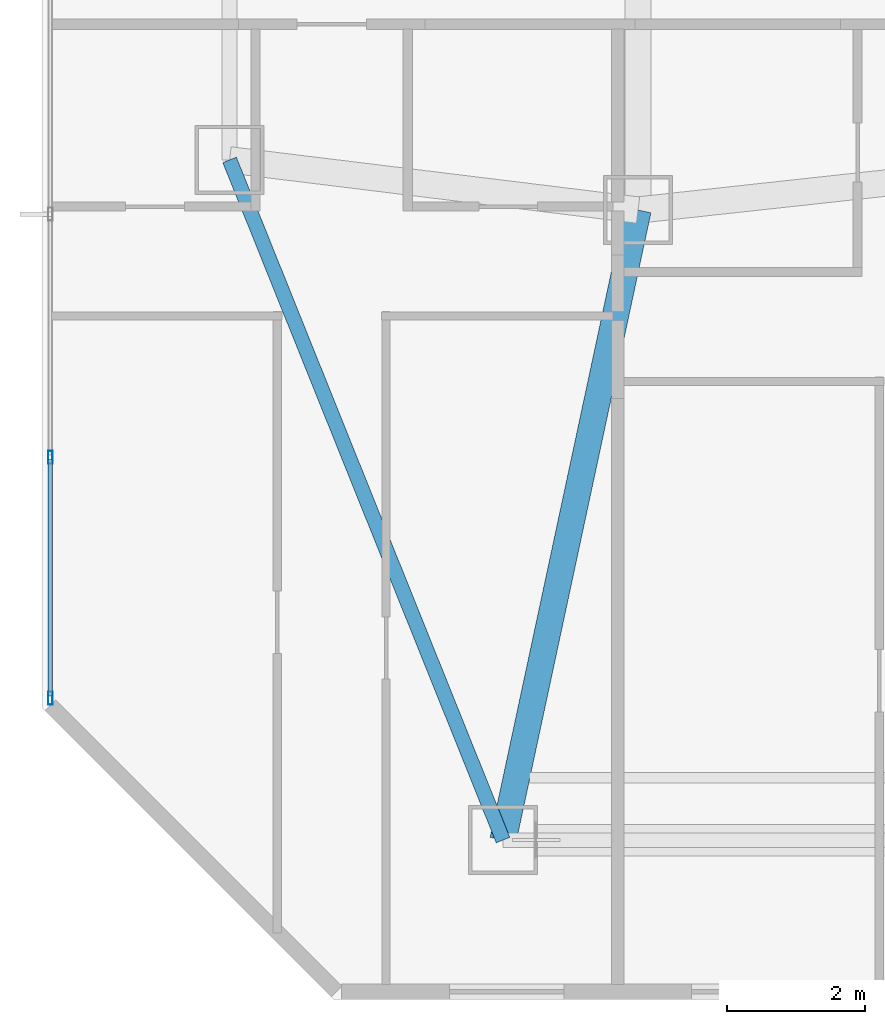
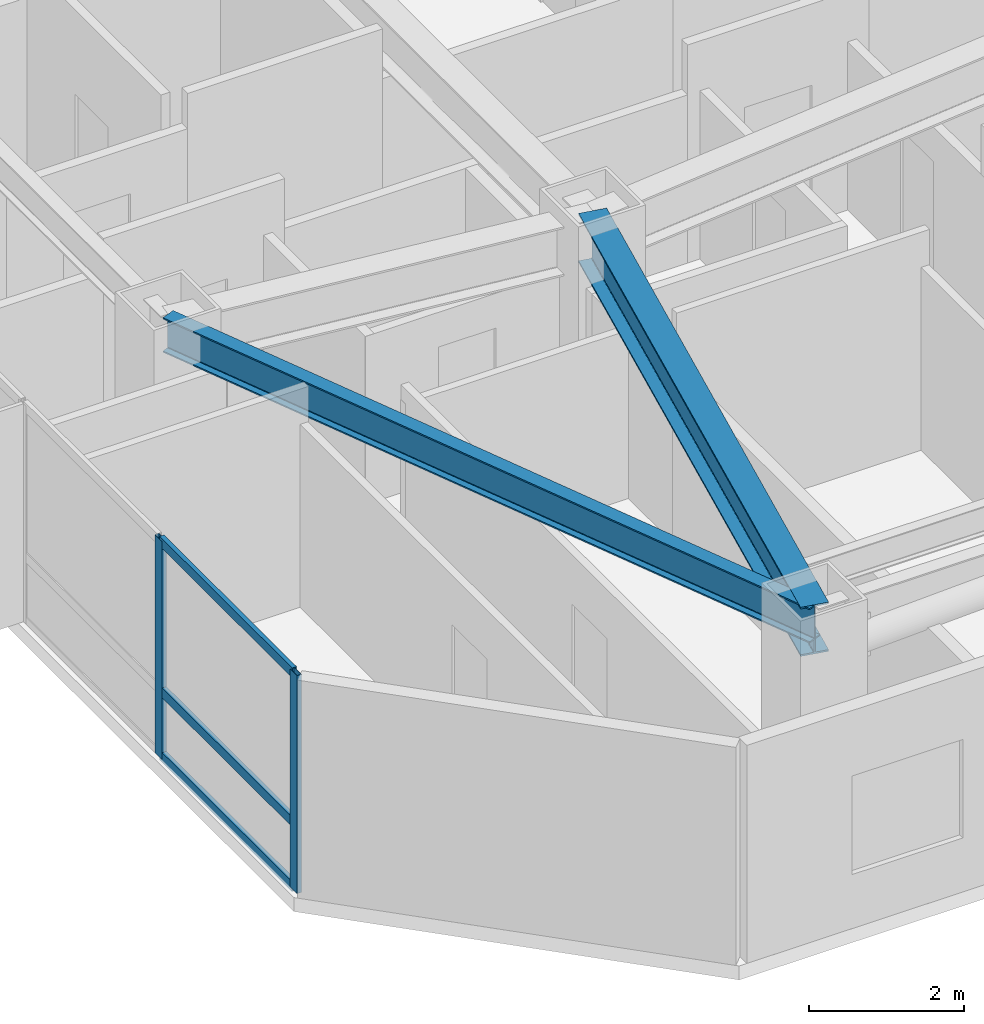
# One storey, part 2 of 21: 5 members, 2 beams, 1 element without a shape of its own.
"""IFC4 building model written with IfcOpenShell, lengths in metres."""

from ifc_helpers import new_model, si_unit, direction, frame, origin, origin_2d, place, context, subcontext, project, spatial, hollow_rectangle, i_section, extrude, material, material_profile, profile_set, type_object, element, aggregate, save


model = new_model("IFC4")

# Units and contexts
model_context = context("Model", 3, precision=1e-05, world=origin(), true_north=direction((0.0, 1.0)))
body_context = subcontext(model_context, "Body", "Model", "MODEL_VIEW")
ifc_project = project(units=[si_unit("LENGTHUNIT", "METRE"), si_unit("AREAUNIT", "SQUARE_METRE"), si_unit("VOLUMEUNIT", "CUBIC_METRE"), si_unit("PLANEANGLEUNIT", "RADIAN"), si_unit("MASSUNIT", "GRAM", prefix="KILO")], contexts=[model_context])

# Site, building, storey
site_placement = place(None, origin())
site = spatial("IfcSite", under=ifc_project, at=site_placement, CompositionType="ELEMENT")
building_placement = place(site_placement, origin())
building = spatial("IfcBuilding", under=site, at=building_placement, Name="Khamvora Tower", CompositionType="ELEMENT")
storey_placement = place(building_placement, frame((0.0, 0.0, 98.25)))
storey = spatial("IfcBuildingStorey", under=building, at=storey_placement, Name="L24", CompositionType="ELEMENT", Elevation=98.25)

# Beams
ifc_material_1 = material(Name="Steel S355", Category="steel")
ifc_material_profile_1 = material_profile(ifc_material_1, i_section(OverallWidth=0.381103515625, OverallDepth=0.77294921875, WebThickness=0.01708984375, FlangeThickness=0.027099609375, FilletRadius=0.01806640625, at=origin_2d()), Name="W760x257")
ifc_profile_set_1 = profile_set([ifc_material_profile_1], Name="Steel S355")
beam_type_1 = type_object("IfcBeamType", Name="BM-PG-W760x257", PredefinedType="BEAM", material=ifc_profile_set_1)
beam_1_placement = place(storey_placement, frame((18.0, 17.800048828125, 3.0439453125), z_axis=(-0.209521922673, -0.977803949634, 0.0), x_axis=(0.977803949634, -0.209521922673, 0.0)))
element("IfcBeam", 1, at=beam_1_placement, inside=storey, type_object=beam_type_1, Name="L24 primary floor girder S1", PredefinedType="BEAM", context=body_context, shape_type="SweptSolid", body=[
    extrude(i_section(OverallWidth=0.381103515625, OverallDepth=0.77294921875, WebThickness=0.01708984375, FlangeThickness=0.027099609375, FilletRadius=0.01806640625, at=origin_2d()), origin(), (0.0, 0.0, 1.0), 9.306640625),
])
ifc_material_profile_2 = material_profile(ifc_material_1, i_section(OverallWidth=0.2119140625, OverallDepth=0.5439453125, WebThickness=0.012939453125, FlangeThickness=0.02099609375, FilletRadius=0.013916015625, at=origin_2d()), Name="W530x123")
ifc_profile_set_2 = profile_set([ifc_material_profile_2], Name="Steel S355")
beam_type_2 = type_object("IfcBeamType", Name="BM-SP-W530x123", PredefinedType="SPANDREL", material=ifc_profile_set_2)
beam_2_placement = place(storey_placement, frame((12.10009765625, 18.52490234375, 3.157958984375), z_axis=(0.373015921536, -0.927824941614, 0.0), x_axis=(0.927824941614, 0.373015921536, 0.0)))
element("IfcBeam", 2, at=beam_2_placement, inside=storey, type_object=beam_type_2, Name="L24 perimeter spandrel beam W1-S1", PredefinedType="SPANDREL", context=body_context, shape_type="SweptSolid", body=[
    extrude(i_section(OverallWidth=0.2119140625, OverallDepth=0.5439453125, WebThickness=0.012939453125, FlangeThickness=0.02099609375, FilletRadius=0.013916015625, at=origin_2d()), origin(), (0.0, 0.0, 1.0), 10.589111328125),
])

# Curtain wall, members
ifc_material_2 = material(Name="Anodised Aluminium 6063-T6", Category="aluminium")
curtain_wall_type = type_object("IfcCurtainWallType", Name="CW-SYS-03", PredefinedType="NOTDEFINED", material=ifc_material_2)
curtain_wall_placement = place(storey_placement, origin())
curtain_wall = element("IfcCurtainWall", 3, at=curtain_wall_placement, inside=storey, type_object=curtain_wall_type, Name="L24 stick curtain wall 02.1", PredefinedType="NOTDEFINED")
ifc_material_profile_3 = material_profile(ifc_material_2, hollow_rectangle(XDim=0.06494140625, YDim=0.18994140625, WallThickness=0.0048828125, at=origin_2d()), Name="MUL65x190x5")
ifc_profile_set_3 = profile_set([ifc_material_profile_3], Name="Anodised Aluminium 6063-T6")
member_type_1 = type_object("IfcMemberType", Name="CW-SYS-03-MUL", PredefinedType="MULLION", material=ifc_profile_set_3)
member_1_placement = place(storey_placement, frame((9.510009765625, 10.74951171875, 0.0), z_axis=(0.0, 0.0, 1.0), x_axis=(-1.0, 0.0, 0.0)))
member_1 = element("IfcMember", 4, at=member_1_placement, type_object=member_type_1, Name="CW-03 mullion 1", PredefinedType="MULLION", context=body_context, shape_type="SweptSolid", body=[
    extrude(hollow_rectangle(XDim=0.06494140625, YDim=0.18994140625, WallThickness=0.0048828125, at=origin_2d()), origin(), (0.0, 0.0, 1.0), 3.429931640625),
])
member_2_placement = place(storey_placement, frame((9.510009765625, 14.228515625, 0.0), z_axis=(0.0, 0.0, 1.0), x_axis=(-1.0, 0.0, 0.0)))
member_2 = element("IfcMember", 5, at=member_2_placement, type_object=member_type_1, Name="CW-03 mullion 2", PredefinedType="MULLION", context=body_context, shape_type="SweptSolid", body=[
    extrude(hollow_rectangle(XDim=0.06494140625, YDim=0.18994140625, WallThickness=0.0048828125, at=origin_2d()), origin(), (0.0, 0.0, 1.0), 3.429931640625),
])
ifc_material_profile_4 = material_profile(ifc_material_2, hollow_rectangle(XDim=0.06494140625, YDim=0.155029296875, WallThickness=0.0048828125, at=origin_2d()), Name="TRN65x155x5")
ifc_profile_set_4 = profile_set([ifc_material_profile_4], Name="Anodised Aluminium 6063-T6")
member_type_2 = type_object("IfcMemberType", Name="CW-SYS-03-TRN", PredefinedType="USERDEFINED", material=ifc_profile_set_4)
member_3_placement = place(storey_placement, frame((9.510009765625, 10.781982421875, 0.032470703125), z_axis=(0.0, 1.0, 0.0), x_axis=(-1.0, 0.0, 0.0)))
member_3 = element("IfcMember", 6, at=member_3_placement, type_object=member_type_2, Name="CW-03 transom 1.1", ObjectType="TRANSOM", PredefinedType="USERDEFINED", context=body_context, shape_type="SweptSolid", body=[
    extrude(hollow_rectangle(XDim=0.06494140625, YDim=0.155029296875, WallThickness=0.0048828125, at=origin_2d()), origin(), (0.0, 0.0, 1.0), 3.4140625),
])
member_4_placement = place(storey_placement, frame((9.510009765625, 10.781982421875, 1.050048828125), z_axis=(0.0, 1.0, 0.0), x_axis=(-1.0, 0.0, 0.0)))
member_4 = element("IfcMember", 7, at=member_4_placement, type_object=member_type_2, Name="CW-03 transom 1.2", ObjectType="TRANSOM", PredefinedType="USERDEFINED", context=body_context, shape_type="SweptSolid", body=[
    extrude(hollow_rectangle(XDim=0.06494140625, YDim=0.155029296875, WallThickness=0.0048828125, at=origin_2d()), origin(), (0.0, 0.0, 1.0), 3.4140625),
])
member_5_placement = place(storey_placement, frame((9.510009765625, 10.781982421875, 3.3974609375), z_axis=(0.0, 1.0, 0.0), x_axis=(-1.0, 0.0, 0.0)))
member_5 = element("IfcMember", 8, at=member_5_placement, type_object=member_type_2, Name="CW-03 transom 1.3", ObjectType="TRANSOM", PredefinedType="USERDEFINED", context=body_context, shape_type="SweptSolid", body=[
    extrude(hollow_rectangle(XDim=0.06494140625, YDim=0.155029296875, WallThickness=0.0048828125, at=origin_2d()), origin(), (0.0, 0.0, 1.0), 3.4140625),
])
aggregate(curtain_wall, [member_1, member_2, member_3, member_4, member_5])

save(model, "model.ifc")
